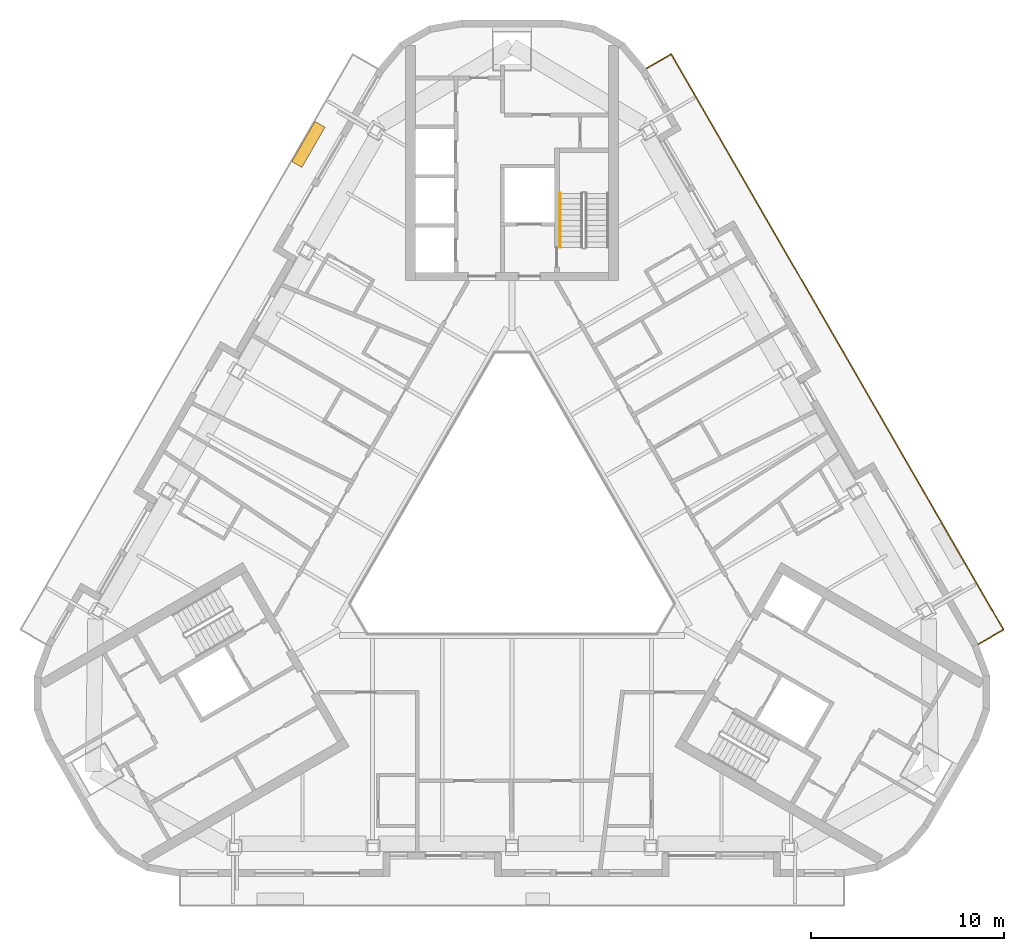
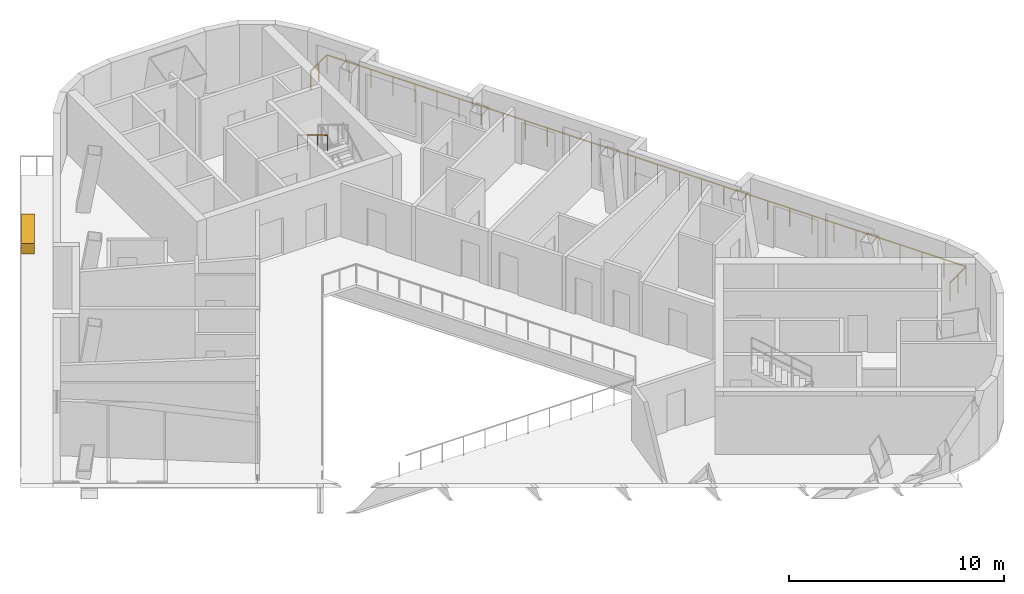
# One storey, part 12 of 13: 2 railings, 1 covering.
"""IFC4 building model written with IfcOpenShell, lengths in metres."""

import ifcopenshell
import ifcopenshell.guid

model = None  # the IFC model being written
_history = None  # IfcOwnerHistory: only IFC2X3 demands one
_inside = {}  # id of a spatial element -> (the spatial element, [elements in it])
_under = {}  # id of a project, library or spatial element -> (it, [spatial elements below it])
_declared = {}  # id of a project -> (the project, [libraries it declares])
_typed = {}  # id of a type object -> (the type object, [elements of that type])
_made_of = {}  # id of a material, layer set ... -> (it, [elements and type objects made of it])


def new_model(schema):
    """Start an empty IFC model of exactly this schema.

    Asked for "IFC4X3", IfcOpenShell would pick the latest addendum, in which some entities
    have other attributes; the version numbers below select the first issue.
    IFC2X3 requires an IfcOwnerHistory on every rooted entity: one is made here for all.
    """
    global model, _history
    if schema == "IFC4X3":
        model = ifcopenshell.file(schema_version=(4, 3, 0, 0))
    else:
        model = ifcopenshell.file(schema=schema)
    _inside.clear()
    _under.clear()
    _declared.clear()
    _typed.clear()
    _made_of.clear()
    _history = None
    if model.schema == "IFC2X3":
        org = make("IfcOrganization", Name="unknown")
        user = make(
            "IfcPersonAndOrganization",
            ThePerson=make("IfcPerson", FamilyName="unknown"),
            TheOrganization=org,
        )
        app = make(
            "IfcApplication",
            ApplicationDeveloper=org,
            Version="unknown",
            ApplicationFullName="unknown",
            ApplicationIdentifier="unknown",
        )
        _history = make(
            "IfcOwnerHistory",
            OwningUser=user,
            OwningApplication=app,
            ChangeAction="ADDED",
            CreationDate=0,
        )
    return model


def make(cls, **values):
    """One entity of the class cls with the attributes given. An attribute that is None is left unset."""
    return model.create_entity(
        cls, **{name: value for name, value in values.items() if value is not None}
    )


def rooted(cls, **values):
    """An entity with a GlobalId (a new one), such as an element, a storey or a relation."""
    return make(cls, GlobalId=ifcopenshell.guid.new(), OwnerHistory=_history, **values)


def si_unit(unit_type, name, prefix=None):
    """IfcSIUnit, for example si_unit("LENGTHUNIT", "METRE", prefix="MILLI")."""
    return make("IfcSIUnit", UnitType=unit_type, Prefix=prefix, Name=name)


def assignment(units):
    """IfcUnitAssignment: the units of a project."""
    return None if units is None else make("IfcUnitAssignment", Units=units)


def point(xyz):
    """IfcCartesianPoint."""
    return None if xyz is None else make("IfcCartesianPoint", Coordinates=xyz)


def direction(xyz):
    """IfcDirection."""
    return None if xyz is None else make("IfcDirection", DirectionRatios=xyz)


def frame(location, z_axis=None, x_axis=None):
    """IfcAxis2Placement3D, a coordinate frame: its origin and axes. An axis left out is left unset."""
    return make(
        "IfcAxis2Placement3D",
        Location=point(location),
        Axis=direction(z_axis),
        RefDirection=direction(x_axis),
    )


def frame_2d(location, x_axis=None):
    """IfcAxis2Placement2D, a coordinate frame in the plane: its origin and x axis."""
    return make(
        "IfcAxis2Placement2D", Location=point(location), RefDirection=direction(x_axis)
    )


def origin():
    """The frame at (0, 0, 0) with its axes left unset."""
    return frame((0.0, 0.0, 0.0))


def origin_2d():
    """The frame at (0, 0) in the plane with its x axis left unset."""
    return frame_2d((0.0, 0.0))


def place(relative_to, where):
    """IfcLocalPlacement: puts the frame where relative to a parent placement (None: the world)."""
    return make(
        "IfcLocalPlacement", PlacementRelTo=relative_to, RelativePlacement=where
    )


def context(
    kind, dimensions, precision=None, world=None, true_north=None, identifier=None
):
    """IfcGeometricRepresentationContext, for example the 3D "Model" context."""
    return make(
        "IfcGeometricRepresentationContext",
        ContextIdentifier=identifier,
        ContextType=kind,
        CoordinateSpaceDimension=dimensions,
        Precision=precision,
        WorldCoordinateSystem=world,
        TrueNorth=true_north,
    )


def subcontext(parent, identifier, kind, view, scale=None):
    """IfcGeometricRepresentationSubContext, for example "Body" below "Model"."""
    return make(
        "IfcGeometricRepresentationSubContext",
        ContextIdentifier=identifier,
        ContextType=kind,
        ParentContext=parent,
        TargetScale=scale,
        TargetView=view,
    )


def project(units=None, contexts=None):
    """IfcProject with its units and contexts."""
    return rooted(
        "IfcProject",
        Name="project",
        RepresentationContexts=contexts,
        UnitsInContext=assignment(units),
    )


def spatial(cls, under=None, at=None, **own):
    """A site, building, storey or space (cls), placed at a placement, below another one or the project."""
    s = rooted(cls, ObjectPlacement=at, **own)
    if under is not None:
        _under.setdefault(under.id(), (under, []))[1].append(s)
    return s


def profile(cls, at=None, kind="AREA", **sizes):
    """A parametric profile (cls). Its sizes go by their IFC names, for example OverallWidth=200.0."""
    return make(cls, ProfileType=kind, Position=at, **sizes)


def rectangle(**sizes):
    """IfcRectangleProfileDef."""
    return profile("IfcRectangleProfileDef", **sizes)


def circle(**sizes):
    """IfcCircleProfileDef."""
    return profile("IfcCircleProfileDef", **sizes)


def extrude(swept, where, along, depth):
    """IfcExtrudedAreaSolid: the profile swept, set in the frame where, extruded along a direction by depth."""
    return make(
        "IfcExtrudedAreaSolid",
        SweptArea=swept,
        Position=where,
        ExtrudedDirection=direction(along),
        Depth=depth,
    )


def shape(context_of_items, identifier, shape_type, items):
    """IfcShapeRepresentation: the items that make up one representation, for example the "Body"."""
    return make(
        "IfcShapeRepresentation",
        ContextOfItems=context_of_items,
        RepresentationIdentifier=identifier,
        RepresentationType=shape_type,
        Items=items,
    )


def material(Name=None, Category=None):
    """IfcMaterial."""
    return make("IfcMaterial", Name=Name, Category=Category)


def made_of(thing, what):
    """Note that an element or type object is made of a material, layer set ...; save() writes the relation."""
    if what is not None:
        _made_of.setdefault(what.id(), (what, []))[1].append(thing)
    return thing


def type_object(cls, material=None, **own):
    """A type object (cls), such as IfcWallType, which elements share."""
    return made_of(rooted(cls, **own), material)


def element(
    cls,
    number,
    at=None,
    inside=None,
    cuts=None,
    type_object=None,
    material=None,
    context=None,
    identifier="Body",
    shape_type=None,
    held_by="IfcProductDefinitionShape",
    body=None,
    shapes=None,
    **own,
):
    """One element of the class cls, such as IfcWall. Its Tag is "e" and its number.

    at: its placement. inside: the storey or other place that contains it. cuts: it is an
    opening in that element (IfcRelVoidsElement). A single representation is given by context,
    identifier, shape_type and body (its items); several are given by shapes. held_by: the class
    of the entity that holds the representations. save() writes the other relations.
    """
    e = rooted(cls, Tag="e%d" % number, ObjectPlacement=at, **own)
    if body is not None:
        shapes = [shape(context, identifier, shape_type, body)]
    if shapes is not None:
        e.Representation = make(held_by, Representations=shapes)
    if inside is not None:
        _inside.setdefault(inside.id(), (inside, []))[1].append(e)
    if cuts is not None:
        rooted(
            "IfcRelVoidsElement", RelatingBuildingElement=cuts, RelatedOpeningElement=e
        )
    if type_object is not None:
        _typed.setdefault(type_object.id(), (type_object, []))[1].append(e)
    return made_of(e, material)


def aggregate(whole, parts):
    """IfcRelAggregates: a whole, such as a stair, and the parts it consists of."""
    return rooted("IfcRelAggregates", RelatingObject=whole, RelatedObjects=parts)


def save(model, path):
    """Write the relations noted so far, then the file.

    IfcRelAggregates (storeys below a building ...), IfcRelContainedInSpatialStructure (elements
    in a storey), IfcRelDefinesByType, IfcRelAssociatesMaterial and IfcRelDeclares: one each for
    every whole, place, type object, material and project.
    """
    for whole, parts in _under.values():
        aggregate(whole, parts)
    for where, things in _inside.values():
        rooted(
            "IfcRelContainedInSpatialStructure",
            RelatedElements=things,
            RelatingStructure=where,
        )
    for kind, things in _typed.values():
        rooted("IfcRelDefinesByType", RelatedObjects=things, RelatingType=kind)
    for what, things in _made_of.values():
        rooted("IfcRelAssociatesMaterial", RelatedObjects=things, RelatingMaterial=what)
    for by, libraries in _declared.values():
        rooted("IfcRelDeclares", RelatingContext=by, RelatedDefinitions=libraries)
    model.write(path)


model = new_model("IFC4")

# Units and contexts
model_context = context("Model", 3, precision=1e-05, world=origin(), true_north=direction((0.0, 1.0)))
body_context = subcontext(model_context, "Body", "Model", "MODEL_VIEW")
ifc_project = project(units=[si_unit("LENGTHUNIT", "METRE"), si_unit("AREAUNIT", "SQUARE_METRE"), si_unit("VOLUMEUNIT", "CUBIC_METRE"), si_unit("PLANEANGLEUNIT", "RADIAN"), si_unit("MASSUNIT", "GRAM", prefix="KILO")], contexts=[model_context])

# Site, building, storey
site_placement = place(None, origin())
site = spatial("IfcSite", under=ifc_project, at=site_placement, CompositionType="ELEMENT")
building_placement = place(site_placement, origin())
building = spatial("IfcBuilding", under=site, at=building_placement, Name="Apuvela Tower Hotel", CompositionType="ELEMENT")
storey_placement = place(building_placement, frame((0.0, 0.0, 287.39990234375)))
storey = spatial("IfcBuildingStorey", under=building, at=storey_placement, Name="L71", CompositionType="ELEMENT", Elevation=287.39990234375)

# Railings
ifc_material_1 = material(Name="Stainless steel 316 handrail", Category="steel")
railing_type_1 = type_object("IfcRailingType", Name="COR-HANDRAIL-900", PredefinedType="HANDRAIL", material=ifc_material_1)
railing_1_placement = place(storey_placement, frame((2.5, 17.39990234375, 2.018310546875)))
element("IfcRailing", 1, at=railing_1_placement, inside=storey, type_object=railing_type_1, Name="L71 ST1 stair handrail 2", PredefinedType="HANDRAIL", context=body_context, shape_type="SweptSolid", body=[
    extrude(circle(Radius=0.02392578125, at=origin_2d()), frame((0.0, 0.0, 0.8759765625), z_axis=(0.0, -0.857222391501, 0.514946377315), x_axis=(1.0, 0.0, 0.0)), (0.0, 0.0, 1.0), 3.26611328125),
    extrude(rectangle(XDim=0.0419921875, YDim=0.0419921875, at=origin_2d()), origin(), (0.0, 0.0, 1.0), 0.851806640625),
    extrude(rectangle(XDim=0.0419921875, YDim=0.0419921875, at=origin_2d()), frame((0.0, -0.933349609375, 0.560546875)), (0.0, 0.0, 1.0), 0.851806640625),
    extrude(rectangle(XDim=0.0419921875, YDim=0.0419921875, at=origin_2d()), frame((0.0, -1.866455078125, 1.121337890625)), (0.0, 0.0, 1.0), 0.851806640625),
    extrude(rectangle(XDim=0.0419921875, YDim=0.0419921875, at=origin_2d()), frame((0.0, -2.7998046875, 1.681884765625)), (0.0, 0.0, 1.0), 0.851806640625),
])
ifc_material_2 = material(Name="Stainless steel 316 rail with laminated glass infill", Category="steel")
railing_type_2 = type_object("IfcRailingType", Name="ENV-GUARD-1100", PredefinedType="GUARDRAIL", material=ifc_material_2)
railing_2_placement = place(storey_placement, frame((24.119384765625, -5.91845703125, 0.0)))
element("IfcRailing", 2, at=railing_2_placement, inside=storey, type_object=railing_type_2, Name="Balcony guard NE L71", PredefinedType="GUARDRAIL", context=body_context, shape_type="SweptSolid", body=[
    extrude(rectangle(XDim=0.050048828125, YDim=0.050048828125, at=origin_2d()), frame((0.0, 0.0, 1.0751953125), z_axis=(0.86599040064, 0.500060622324, 0.0), x_axis=(-0.500060622324, 0.86599040064, 0.0)), (0.0, 0.0, 1.0), 1.499755859375),
    extrude(rectangle(XDim=0.050048828125, YDim=0.050048828125, at=origin_2d()), frame((1.298828125, 0.75, 1.0751953125), z_axis=(-0.499997097509, 0.866027079532, 0.0), x_axis=(-0.866027079532, -0.499997097509, 0.0)), (0.0, 0.0, 1.0), 34.370361328125),
    extrude(rectangle(XDim=0.050048828125, YDim=0.050048828125, at=origin_2d()), frame((-15.88623046875, 30.515625, 1.0751953125), z_axis=(-0.866031096941, -0.499990139034, 0.0), x_axis=(0.499990139034, -0.866031096941, 0.0)), (0.0, 0.0, 1.0), 1.5),
    extrude(rectangle(XDim=0.0400390625, YDim=0.0400390625, at=origin_2d()), origin(), (0.0, 0.0, 1.0), 1.050048828125),
    extrude(rectangle(XDim=0.0400390625, YDim=0.0400390625, at=origin_2d()), frame((0.6494140625, 0.375, 0.0)), (0.0, 0.0, 1.0), 1.050048828125),
    extrude(rectangle(XDim=0.0400390625, YDim=0.0400390625, at=origin_2d()), frame((1.298828125, 0.75, 0.0)), (0.0, 0.0, 1.0), 1.050048828125),
    extrude(rectangle(XDim=0.0400390625, YDim=0.0400390625, at=origin_2d()), frame((0.706298828125, 1.7763671875, 0.0)), (0.0, 0.0, 1.0), 1.050048828125),
    extrude(rectangle(XDim=0.0400390625, YDim=0.0400390625, at=origin_2d()), frame((0.11376953125, 2.802734375, 0.0)), (0.0, 0.0, 1.0), 1.050048828125),
    extrude(rectangle(XDim=0.0400390625, YDim=0.0400390625, at=origin_2d()), frame((-0.47900390625, 3.8291015625, 0.0)), (0.0, 0.0, 1.0), 1.050048828125),
    extrude(rectangle(XDim=0.0400390625, YDim=0.0400390625, at=origin_2d()), frame((-1.071533203125, 4.855712890625, 0.0)), (0.0, 0.0, 1.0), 1.050048828125),
    extrude(rectangle(XDim=0.0400390625, YDim=0.0400390625, at=origin_2d()), frame((-1.6640625, 5.882080078125, 0.0)), (0.0, 0.0, 1.0), 1.050048828125),
    extrude(rectangle(XDim=0.0400390625, YDim=0.0400390625, at=origin_2d()), frame((-2.256591796875, 6.908447265625, 0.0)), (0.0, 0.0, 1.0), 1.050048828125),
    extrude(rectangle(XDim=0.0400390625, YDim=0.0400390625, at=origin_2d()), frame((-2.849365234375, 7.934814453125, 0.0)), (0.0, 0.0, 1.0), 1.050048828125),
    extrude(rectangle(XDim=0.0400390625, YDim=0.0400390625, at=origin_2d()), frame((-3.44189453125, 8.961181640625, 0.0)), (0.0, 0.0, 1.0), 1.050048828125),
    extrude(rectangle(XDim=0.0400390625, YDim=0.0400390625, at=origin_2d()), frame((-4.034423828125, 9.987548828125, 0.0)), (0.0, 0.0, 1.0), 1.050048828125),
    extrude(rectangle(XDim=0.0400390625, YDim=0.0400390625, at=origin_2d()), frame((-4.626953125, 11.013916015625, 0.0)), (0.0, 0.0, 1.0), 1.050048828125),
    extrude(rectangle(XDim=0.0400390625, YDim=0.0400390625, at=origin_2d()), frame((-5.2197265625, 12.04052734375, 0.0)), (0.0, 0.0, 1.0), 1.050048828125),
    extrude(rectangle(XDim=0.0400390625, YDim=0.0400390625, at=origin_2d()), frame((-5.812255859375, 13.06689453125, 0.0)), (0.0, 0.0, 1.0), 1.050048828125),
    extrude(rectangle(XDim=0.0400390625, YDim=0.0400390625, at=origin_2d()), frame((-6.40478515625, 14.09326171875, 0.0)), (0.0, 0.0, 1.0), 1.050048828125),
    extrude(rectangle(XDim=0.0400390625, YDim=0.0400390625, at=origin_2d()), frame((-6.997314453125, 15.11962890625, 0.0)), (0.0, 0.0, 1.0), 1.050048828125),
    extrude(rectangle(XDim=0.0400390625, YDim=0.0400390625, at=origin_2d()), frame((-7.590087890625, 16.14599609375, 0.0)), (0.0, 0.0, 1.0), 1.050048828125),
    extrude(rectangle(XDim=0.0400390625, YDim=0.0400390625, at=origin_2d()), frame((-8.1826171875, 17.17236328125, 0.0)), (0.0, 0.0, 1.0), 1.050048828125),
    extrude(rectangle(XDim=0.0400390625, YDim=0.0400390625, at=origin_2d()), frame((-8.775146484375, 18.19873046875, 0.0)), (0.0, 0.0, 1.0), 1.050048828125),
    extrude(rectangle(XDim=0.0400390625, YDim=0.0400390625, at=origin_2d()), frame((-9.36767578125, 19.22509765625, 0.0)), (0.0, 0.0, 1.0), 1.050048828125),
    extrude(rectangle(XDim=0.0400390625, YDim=0.0400390625, at=origin_2d()), frame((-9.96044921875, 20.251708984375, 0.0)), (0.0, 0.0, 1.0), 1.050048828125),
    extrude(rectangle(XDim=0.0400390625, YDim=0.0400390625, at=origin_2d()), frame((-10.552978515625, 21.278076171875, 0.0)), (0.0, 0.0, 1.0), 1.050048828125),
    extrude(rectangle(XDim=0.0400390625, YDim=0.0400390625, at=origin_2d()), frame((-11.1455078125, 22.304443359375, 0.0)), (0.0, 0.0, 1.0), 1.050048828125),
    extrude(rectangle(XDim=0.0400390625, YDim=0.0400390625, at=origin_2d()), frame((-11.738037109375, 23.330810546875, 0.0)), (0.0, 0.0, 1.0), 1.050048828125),
    extrude(rectangle(XDim=0.0400390625, YDim=0.0400390625, at=origin_2d()), frame((-12.330810546875, 24.357177734375, 0.0)), (0.0, 0.0, 1.0), 1.050048828125),
    extrude(rectangle(XDim=0.0400390625, YDim=0.0400390625, at=origin_2d()), frame((-12.92333984375, 25.383544921875, 0.0)), (0.0, 0.0, 1.0), 1.050048828125),
    extrude(rectangle(XDim=0.0400390625, YDim=0.0400390625, at=origin_2d()), frame((-13.515869140625, 26.409912109375, 0.0)), (0.0, 0.0, 1.0), 1.050048828125),
    extrude(rectangle(XDim=0.0400390625, YDim=0.0400390625, at=origin_2d()), frame((-14.1083984375, 27.4365234375, 0.0)), (0.0, 0.0, 1.0), 1.050048828125),
    extrude(rectangle(XDim=0.0400390625, YDim=0.0400390625, at=origin_2d()), frame((-14.701171875, 28.462890625, 0.0)), (0.0, 0.0, 1.0), 1.050048828125),
    extrude(rectangle(XDim=0.0400390625, YDim=0.0400390625, at=origin_2d()), frame((-15.293701171875, 29.4892578125, 0.0)), (0.0, 0.0, 1.0), 1.050048828125),
    extrude(rectangle(XDim=0.0400390625, YDim=0.0400390625, at=origin_2d()), frame((-15.88623046875, 30.515625, 0.0)), (0.0, 0.0, 1.0), 1.050048828125),
    extrude(rectangle(XDim=0.0400390625, YDim=0.0400390625, at=origin_2d()), frame((-16.53564453125, 30.140625, 0.0)), (0.0, 0.0, 1.0), 1.050048828125),
    extrude(rectangle(XDim=0.0400390625, YDim=0.0400390625, at=origin_2d()), frame((-17.185302734375, 29.765625, 0.0)), (0.0, 0.0, 1.0), 1.050048828125),
])

# Covering
ifc_material_3 = material(Name="Planting substrate and soil, planted")
covering_type = type_object("IfcCoveringType", Name="ENV-PLANTER-2400x600", PredefinedType="USERDEFINED", material=ifc_material_3)
covering_placement = place(storey_placement, frame((-10.526123046875, 19.925537109375, 0.0), z_axis=(0.0, 0.0, 1.0), x_axis=(-0.5, -0.866025403784, 0.0)))
element("IfcCovering", 3, at=covering_placement, inside=storey, type_object=covering_type, Name="Planter NW4", ObjectType="PLANTER", PredefinedType="USERDEFINED", context=body_context, shape_type="SweptSolid", body=[
    extrude(rectangle(XDim=2.39990234375, YDim=0.60009765625, at=origin_2d()), origin(), (0.0, 0.0, 1.0), 0.60009765625),
])

save(model, "model.ifc")
